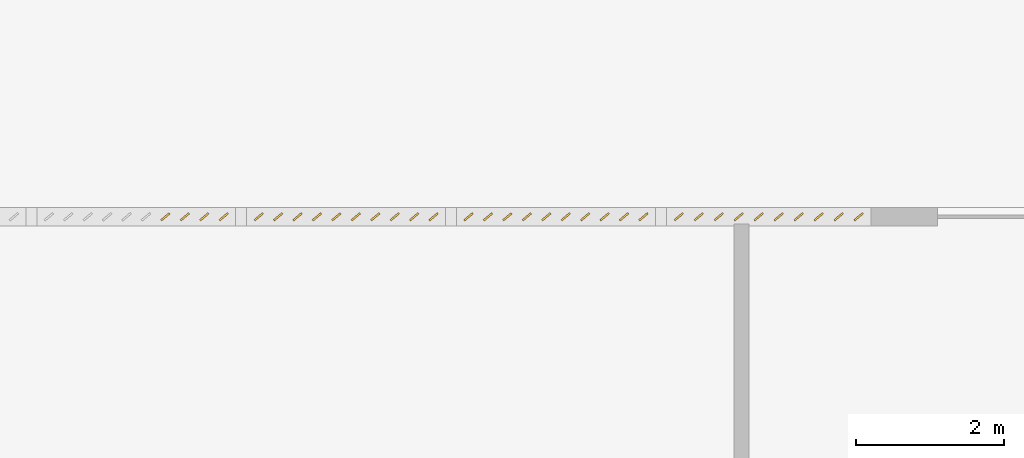
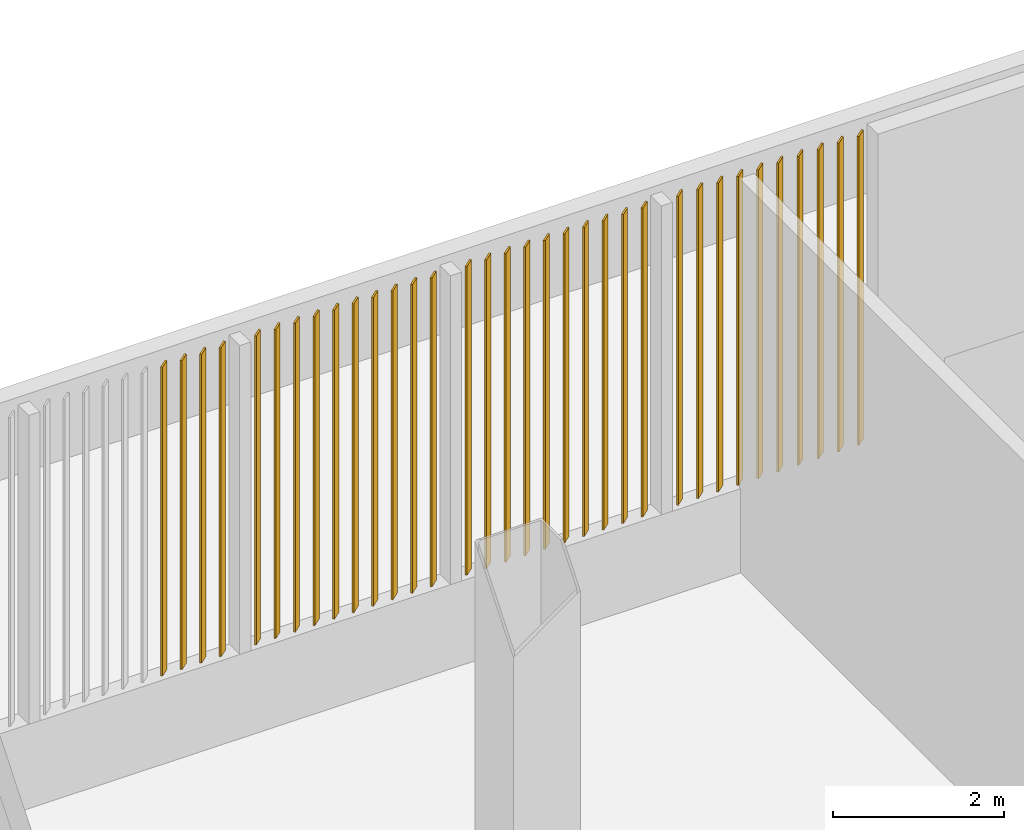
# One storey, part 7 of 9: 34 shading devices.
"""IFC4 building model written with IfcOpenShell, lengths in metres."""

from ifc_helpers import new_model, si_unit, direction, frame, origin, origin_2d, place, context, subcontext, project, spatial, rectangle, extrude, material, material_profile, profile_set, type_object, element, save


model = new_model("IFC4")

# Units and contexts
model_context = context("Model", 3, precision=1e-05, world=origin(), true_north=direction((0.0, 1.0)))
body_context = subcontext(model_context, "Body", "Model", "MODEL_VIEW")
ifc_project = project(units=[si_unit("LENGTHUNIT", "METRE"), si_unit("AREAUNIT", "SQUARE_METRE"), si_unit("VOLUMEUNIT", "CUBIC_METRE"), si_unit("PLANEANGLEUNIT", "RADIAN"), si_unit("MASSUNIT", "GRAM", prefix="KILO")], contexts=[model_context])

# Site, building, storey
site_placement = place(None, origin())
site = spatial("IfcSite", under=ifc_project, at=site_placement, CompositionType="ELEMENT")
building_placement = place(site_placement, origin())
building = spatial("IfcBuilding", under=site, at=building_placement, Name="Kitamizu Gate Tower and Museum", CompositionType="ELEMENT")
storey_placement = place(building_placement, frame((0.0, 0.0, 283.35009765625)))
storey = spatial("IfcBuildingStorey", under=building, at=storey_placement, Name="L76", CompositionType="ELEMENT", Elevation=283.35009765625)

# Shading devices
ifc_material = material(Name="Bronze anodised aluminium", Category="aluminium")
ifc_material_profile = material_profile(ifc_material, rectangle(XDim=0.14990234375, YDim=0.02490234375, at=origin_2d()), Name="AL 25x150")
ifc_profile_set = profile_set([ifc_material_profile], Name="Bronze anodised aluminium")
shading_device_type = type_object("IfcShadingDeviceType", Name="LOUVRE FIN LVF1 25x150", PredefinedType="JALOUSIE", material=ifc_profile_set)
for number, where, z_axis, x_axis, name in (
    (1, (34.201416015625, 41.375, 1.199951171875), (0.0, 0.0, 1.0), (0.766044443119, 0.642787609687, 0.0), "Louvre fin NA8-7"),
    (2, (34.464599609375, 41.375, 1.199951171875), (0.0, 0.0, 1.0), (0.766044443119, 0.642787609687, 0.0), "Louvre fin NA8-8"),
    (3, (34.7275390625, 41.375, 1.199951171875), (0.0, 0.0, 1.0), (0.766044443119, 0.642787609687, 0.0), "Louvre fin NA8-9"),
    (4, (34.99072265625, 41.375, 1.199951171875), (0.0, 0.0, 1.0), (0.766044443119, 0.642787609687, 0.0), "Louvre fin NA8-10"),
    (5, (35.4638671875, 41.375, 1.199951171875), (0.0, 0.0, 1.0), (0.766044443119, 0.642787609687, 0.0), "Louvre fin NA9-1"),
    (6, (35.726806640625, 41.375, 1.199951171875), (0.0, 0.0, 1.0), (0.766044443119, 0.642787609687, 0.0), "Louvre fin NA9-2"),
    (7, (35.989990234375, 41.375, 1.199951171875), (0.0, 0.0, 1.0), (0.766044443119, 0.642787609687, 0.0), "Louvre fin NA9-3"),
    (8, (36.253173828125, 41.375, 1.199951171875), (0.0, 0.0, 1.0), (0.766044443119, 0.642787609687, 0.0), "Louvre fin NA9-4"),
    (9, (36.51611328125, 41.375, 1.199951171875), (0.0, 0.0, 1.0), (0.766044443119, 0.642787609687, 0.0), "Louvre fin NA9-5"),
    (10, (36.779296875, 41.375, 1.199951171875), (0.0, 0.0, 1.0), (0.766044443119, 0.642787609687, 0.0), "Louvre fin NA9-6"),
    (11, (37.04248046875, 41.375, 1.199951171875), (0.0, 0.0, 1.0), (0.766044443119, 0.642787609687, 0.0), "Louvre fin NA9-7"),
    (12, (37.305419921875, 41.375, 1.199951171875), (0.0, 0.0, 1.0), (0.766044443119, 0.642787609687, 0.0), "Louvre fin NA9-8"),
    (13, (37.568603515625, 41.375, 1.199951171875), (0.0, 0.0, 1.0), (0.766044443119, 0.642787609687, 0.0), "Louvre fin NA9-9"),
    (14, (37.83154296875, 41.375, 1.199951171875), (0.0, 0.0, 1.0), (0.766044443119, 0.642787609687, 0.0), "Louvre fin NA9-10"),
    (15, (38.3046875, 41.375, 1.199951171875), (0.0, 0.0, 1.0), (0.766044443119, 0.642787609687, 0.0), "Louvre fin NA10-1"),
    (16, (38.56787109375, 41.375, 1.199951171875), (0.0, 0.0, 1.0), (0.766044443119, 0.642787609687, 0.0), "Louvre fin NA10-2"),
    (17, (38.830810546875, 41.375, 1.199951171875), (0.0, 0.0, 1.0), (0.766044443119, 0.642787609687, 0.0), "Louvre fin NA10-3"),
    (18, (39.093994140625, 41.375, 1.199951171875), (0.0, 0.0, 1.0), (0.766044443119, 0.642787609687, 0.0), "Louvre fin NA10-4"),
    (19, (39.357177734375, 41.375, 1.199951171875), (0.0, 0.0, 1.0), (0.766044443119, 0.642787609687, 0.0), "Louvre fin NA10-5"),
    (20, (39.6201171875, 41.375, 1.199951171875), (0.0, 0.0, 1.0), (0.766044443119, 0.642787609687, 0.0), "Louvre fin NA10-6"),
    (21, (39.88330078125, 41.375, 1.199951171875), (0.0, 0.0, 1.0), (0.766044443119, 0.642787609687, 0.0), "Louvre fin NA10-7"),
    (22, (40.146484375, 41.375, 1.199951171875), (0.0, 0.0, 1.0), (0.766044443119, 0.642787609687, 0.0), "Louvre fin NA10-8"),
    (23, (40.409423828125, 41.375, 1.199951171875), (0.0, 0.0, 1.0), (0.766044443119, 0.642787609687, 0.0), "Louvre fin NA10-9"),
    (24, (40.672607421875, 41.375, 1.199951171875), (0.0, 0.0, 1.0), (0.766044443119, 0.642787609687, 0.0), "Louvre fin NA10-10"),
    (25, (41.1494140625, 41.375, 1.199951171875), (0.0, 0.0, 1.0), (0.766044443119, 0.642787609687, 0.0), "Louvre fin NA11-1"),
    (26, (41.419921875, 41.375, 1.199951171875), (0.0, 0.0, 1.0), (0.766044443119, 0.642787609687, 0.0), "Louvre fin NA11-2"),
    (27, (41.690673828125, 41.375, 1.199951171875), (0.0, 0.0, 1.0), (0.766044443119, 0.642787609687, 0.0), "Louvre fin NA11-3"),
    (28, (41.961181640625, 41.375, 1.199951171875), (0.0, 0.0, 1.0), (0.766044443119, 0.642787609687, 0.0), "Louvre fin NA11-4"),
    (29, (42.231689453125, 41.375, 1.199951171875), (0.0, 0.0, 1.0), (0.766044443119, 0.642787609687, 0.0), "Louvre fin NA11-5"),
    (30, (42.50244140625, 41.375, 1.199951171875), (0.0, 0.0, 1.0), (0.766044443119, 0.642787609687, 0.0), "Louvre fin NA11-6"),
    (31, (42.77294921875, 41.375, 1.199951171875), (0.0, 0.0, 1.0), (0.766044443119, 0.642787609687, 0.0), "Louvre fin NA11-7"),
    (32, (43.04345703125, 41.375, 1.199951171875), (0.0, 0.0, 1.0), (0.766044443119, 0.642787609687, 0.0), "Louvre fin NA11-8"),
    (33, (43.314208984375, 41.375, 1.199951171875), (0.0, 0.0, 1.0), (0.766044443119, 0.642787609687, 0.0), "Louvre fin NA11-9"),
    (34, (43.584716796875, 41.375, 1.199951171875), (0.0, 0.0, 1.0), (0.766044443119, 0.642787609687, 0.0), "Louvre fin NA11-10"),
):
    element("IfcShadingDevice", number, at=place(storey_placement, frame(where, z_axis=z_axis, x_axis=x_axis)), inside=storey, type_object=shading_device_type, Name=name, PredefinedType="JALOUSIE", context=body_context, shape_type="SweptSolid", body=[
        extrude(rectangle(XDim=0.14990234375, YDim=0.02490234375, at=origin_2d()), origin(), (0.0, 0.0, 1.0), 4.39990234375),
    ])

save(model, "model.ifc")
